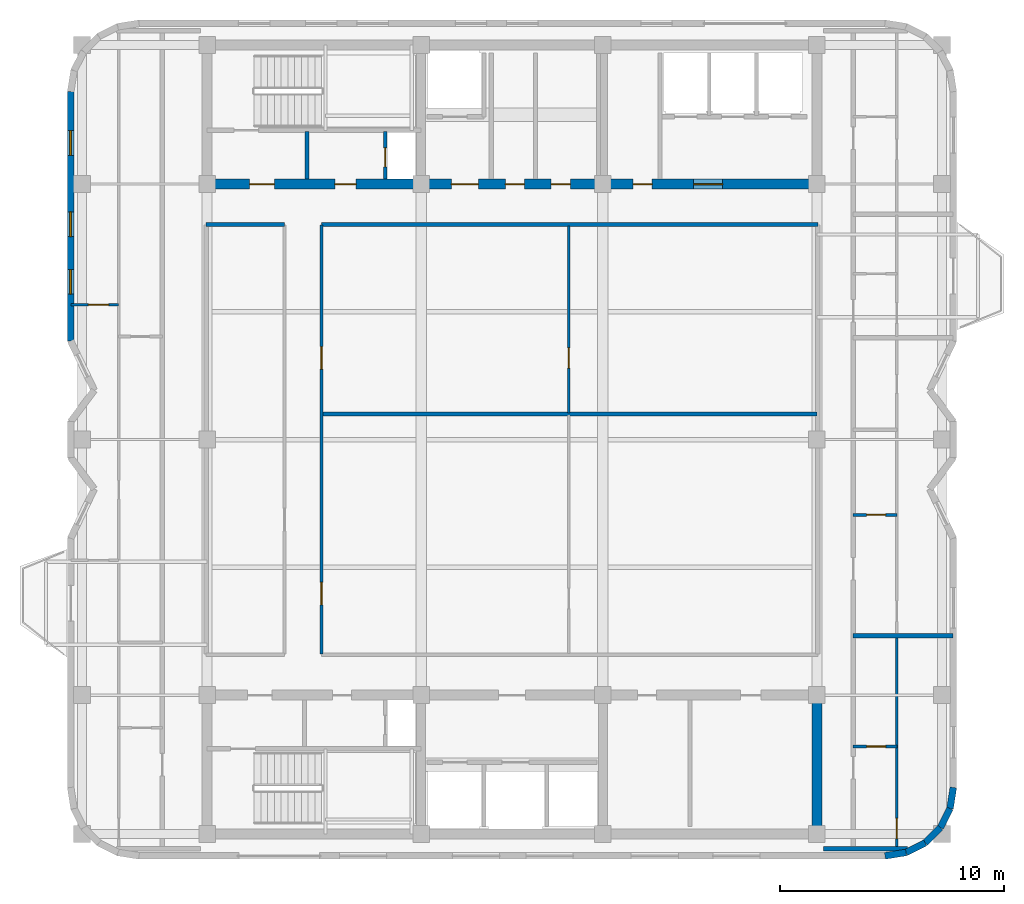
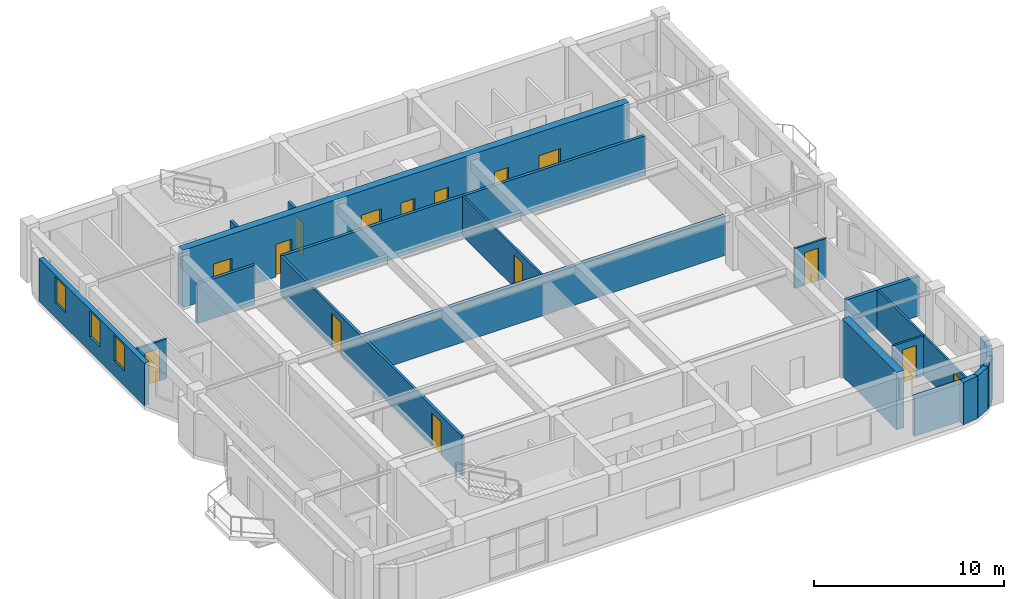
# One storey, part 7 of 11: 21 walls, 15 doors, 3 windows, 18 openings.
"""IFC4 building model written with IfcOpenShell, lengths in metres."""

from ifc_helpers import new_model, si_unit, direction, frame, frame_2d, origin, place, context, subcontext, project, spatial, rectangle, extrude, material, layer, layer_set, type_object, element, fill, save


model = new_model("IFC4")

# Units and contexts
model_context = context("Model", 3, precision=1e-05, world=origin(), true_north=direction((0.0, 1.0)))
body_context = subcontext(model_context, "Body", "Model", "MODEL_VIEW")
ifc_project = project(units=[si_unit("LENGTHUNIT", "METRE"), si_unit("AREAUNIT", "SQUARE_METRE"), si_unit("VOLUMEUNIT", "CUBIC_METRE"), si_unit("PLANEANGLEUNIT", "RADIAN"), si_unit("MASSUNIT", "GRAM", prefix="KILO")], contexts=[model_context])

# Site, building, storey
site_placement = place(None, origin())
site = spatial("IfcSite", under=ifc_project, at=site_placement, CompositionType="ELEMENT")
building_placement = place(site_placement, origin())
building = spatial("IfcBuilding", under=site, at=building_placement, Name="Svetorya Sky Lyceum", CompositionType="ELEMENT")
storey_placement = place(building_placement, frame((0.0, 0.0, 275.0)))
storey = spatial("IfcBuildingStorey", under=building, at=storey_placement, Name="L69", CompositionType="ELEMENT", Elevation=275.0)

# Wall
ifc_material_1 = material(Name="Concrete C50/60", Category="concrete")
ifc_layer_1 = layer(ifc_material_1, 0.449951171875)
ifc_layer_set_1 = layer_set([ifc_layer_1], Name="Concrete C50/60")
wall_type_1 = type_object("IfcWallType", Name="WL-CORE-450", PredefinedType="SHEAR", material=ifc_layer_set_1)
wall_1_placement = place(storey_placement, frame((52.800048828125, 10.824951171875, 0.0), z_axis=(0.0, 0.0, 1.0), x_axis=(0.0, 1.0, 0.0)))
element("IfcWall", 1, at=wall_1_placement, inside=storey, type_object=wall_type_1, Name="L69 SC East Core Shear Wall", PredefinedType="SHEAR", context=body_context, shape_type="SweptSolid", body=[
    extrude(rectangle(XDim=5.75, YDim=0.449951171875, at=frame_2d((2.875, 0.0))), origin(), (0.0, 0.0, 1.0), 3.699951171875),
])

# Wall, openings, doors
wall_2_placement = place(storey_placement, frame((52.800048828125, 39.60009765625, 0.0), z_axis=(0.0, 0.0, 1.0), x_axis=(-1.0, 0.0, 0.0)))
wall_2 = element("IfcWall", 2, at=wall_2_placement, inside=storey, type_object=wall_type_1, Name="L69 NC Inner Core Shear Wall", PredefinedType="SHEAR", context=body_context, shape_type="SweptSolid", body=[
    extrude(rectangle(XDim=27.199951171875, YDim=0.449951171875, at=frame_2d((13.60009765625, 0.0))), origin(), (0.0, 0.0, 1.0), 3.699951171875),
])
opening_1_placement = place(wall_2_placement, frame((24.199951171875, 0.0, 0.0)))
opening_1 = element("IfcOpeningElement", 3, at=opening_1_placement, cuts=wall_2, Name="Opening D-ST1", PredefinedType="OPENING", context=body_context, shape_type="SweptSolid", body=[
    extrude(rectangle(XDim=1.10009765625, YDim=2.14990234375, at=frame_2d((0.550048828125, 1.074951171875))), frame((0.0, 0.23486328125, 0.0), z_axis=(0.0, -1.0, 0.0), x_axis=(1.0, 0.0, 0.0)), (0.0, 0.0, 1.0), 0.469970703125),
])
opening_2_placement = place(wall_2_placement, frame((20.550048828125, 0.0, 0.0)))
opening_2 = element("IfcOpeningElement", 4, at=opening_2_placement, cuts=wall_2, Name="Opening D-CAC1", PredefinedType="OPENING", context=body_context, shape_type="SweptSolid", body=[
    extrude(rectangle(XDim=0.949951171875, YDim=2.10009765625, at=frame_2d((0.47509765625, 1.050048828125))), frame((0.0, 0.23486328125, 0.0), z_axis=(0.0, -1.0, 0.0), x_axis=(1.0, 0.0, 0.0)), (0.0, 0.0, 1.0), 0.469970703125),
])
opening_3_placement = place(wall_2_placement, frame((15.10009765625, 0.0, 0.0)))
opening_3 = element("IfcOpeningElement", 5, at=opening_3_placement, cuts=wall_2, Name="Opening D-FL1", PredefinedType="OPENING", context=body_context, shape_type="SweptSolid", body=[
    extrude(rectangle(XDim=1.199951171875, YDim=2.14990234375, at=frame_2d((0.60009765625, 1.074951171875))), frame((0.0, 0.23486328125, 0.0), z_axis=(0.0, -1.0, 0.0), x_axis=(1.0, 0.0, 0.0)), (0.0, 0.0, 1.0), 0.469970703125),
])
opening_4_placement = place(wall_2_placement, frame((13.050048828125, 0.0, 0.0)))
opening_4 = element("IfcOpeningElement", 6, at=opening_4_placement, cuts=wall_2, Name="Opening D-CWC1", PredefinedType="OPENING", context=body_context, shape_type="SweptSolid", body=[
    extrude(rectangle(XDim=0.85009765625, YDim=2.10009765625, at=frame_2d((0.425048828125, 1.050048828125))), frame((0.0, 0.23486328125, 0.0), z_axis=(0.0, -1.0, 0.0), x_axis=(1.0, 0.0, 0.0)), (0.0, 0.0, 1.0), 0.469970703125),
])
opening_5_placement = place(wall_2_placement, frame((11.0, 0.0, 0.0)))
opening_5 = element("IfcOpeningElement", 7, at=opening_5_placement, cuts=wall_2, Name="Opening D-CWC1", PredefinedType="OPENING", context=body_context, shape_type="SweptSolid", body=[
    extrude(rectangle(XDim=0.85009765625, YDim=2.10009765625, at=frame_2d((0.425048828125, 1.050048828125))), frame((0.0, 0.23486328125, 0.0), z_axis=(0.0, -1.0, 0.0), x_axis=(1.0, 0.0, 0.0)), (0.0, 0.0, 1.0), 0.469970703125),
])
opening_6_placement = place(wall_2_placement, frame((7.35009765625, 0.0, 0.0)))
opening_6 = element("IfcOpeningElement", 8, at=opening_6_placement, cuts=wall_2, Name="Opening D-CWC1", PredefinedType="OPENING", context=body_context, shape_type="SweptSolid", body=[
    extrude(rectangle(XDim=0.85009765625, YDim=2.10009765625, at=frame_2d((0.425048828125, 1.050048828125))), frame((0.0, 0.23486328125, 0.0), z_axis=(0.0, -1.0, 0.0), x_axis=(1.0, 0.0, 0.0)), (0.0, 0.0, 1.0), 0.469970703125),
])
opening_7_placement = place(wall_2_placement, frame((4.199951171875, 0.0, 0.0)))
opening_7 = element("IfcOpeningElement", 9, at=opening_7_placement, cuts=wall_2, Name="Opening D-LB1", PredefinedType="OPENING", context=body_context, shape_type="SweptSolid", body=[
    extrude(rectangle(XDim=1.300048828125, YDim=2.199951171875, at=frame_2d((0.64990234375, 1.10009765625))), frame((0.0, 0.23486328125, 0.0), z_axis=(0.0, -1.0, 0.0), x_axis=(1.0, 0.0, 0.0)), (0.0, 0.0, 1.0), 0.469970703125),
])
ifc_material_2 = material(Name="Fire-rated galvanized steel core accessible WC door", Category="steel")
door_type_1 = type_object("IfcDoorType", Name="DR-CACC-950", OperationType="SINGLE_SWING_LEFT", PredefinedType="DOOR", material=ifc_material_2)
door_1_placement = place(opening_2_placement, origin())
door_1 = element("IfcDoor", 10, at=door_1_placement, inside=storey, type_object=door_type_1, Name="L69 North Core Accessible WC Door", OperationType="SINGLE_SWING_RIGHT", OverallHeight=2.10009765625, OverallWidth=0.949951171875, PredefinedType="DOOR", context=body_context, shape_type="SweptSolid", body=[
    extrude(rectangle(XDim=0.949951171875, YDim=2.10009765625, at=frame_2d((0.47509765625, 1.050048828125))), frame((0.0, 0.02490234375, 0.0), z_axis=(0.0, -1.0, 0.0), x_axis=(1.0, 0.0, 0.0)), (0.0, 0.0, 1.0), 0.050048828125),
])
fill(opening_2, door_1)
ifc_material_3 = material(Name="Fire-rated galvanized steel core service closet door", Category="steel")
door_type_2 = type_object("IfcDoorType", Name="DR-CWET-850", OperationType="SINGLE_SWING_LEFT", PredefinedType="DOOR", material=ifc_material_3)
door_2_placement = place(opening_4_placement, origin())
door_2 = element("IfcDoor", 11, at=door_2_placement, inside=storey, type_object=door_type_2, Name="L69 Upper Linen Door", OperationType="SINGLE_SWING_LEFT", OverallHeight=2.10009765625, OverallWidth=0.85009765625, PredefinedType="DOOR", context=body_context, shape_type="SweptSolid", body=[
    extrude(rectangle(XDim=0.85009765625, YDim=2.10009765625, at=frame_2d((0.425048828125, 1.050048828125))), frame((0.0, 0.02490234375, 0.0), z_axis=(0.0, -1.0, 0.0), x_axis=(1.0, 0.0, 0.0)), (0.0, 0.0, 1.0), 0.050048828125),
])
fill(opening_4, door_2)
door_3_placement = place(opening_5_placement, origin())
door_3 = element("IfcDoor", 12, at=door_3_placement, inside=storey, type_object=door_type_2, Name="L69 Upper Laundry Door", OperationType="SINGLE_SWING_RIGHT", OverallHeight=2.10009765625, OverallWidth=0.85009765625, PredefinedType="DOOR", context=body_context, shape_type="SweptSolid", body=[
    extrude(rectangle(XDim=0.85009765625, YDim=2.10009765625, at=frame_2d((0.425048828125, 1.050048828125))), frame((0.0, 0.02490234375, 0.0), z_axis=(0.0, -1.0, 0.0), x_axis=(1.0, 0.0, 0.0)), (0.0, 0.0, 1.0), 0.050048828125),
])
fill(opening_5, door_3)
door_4_placement = place(opening_6_placement, origin())
door_4 = element("IfcDoor", 13, at=door_4_placement, inside=storey, type_object=door_type_2, Name="L69 High-Zone Utility Room Door", OperationType="SINGLE_SWING_LEFT", OverallHeight=2.10009765625, OverallWidth=0.85009765625, PredefinedType="DOOR", context=body_context, shape_type="SweptSolid", body=[
    extrude(rectangle(XDim=0.85009765625, YDim=2.10009765625, at=frame_2d((0.425048828125, 1.050048828125))), frame((0.0, 0.02490234375, 0.0), z_axis=(0.0, -1.0, 0.0), x_axis=(1.0, 0.0, 0.0)), (0.0, 0.0, 1.0), 0.050048828125),
])
fill(opening_6, door_4)
ifc_material_4 = material(Name="Powder-coated insulated galvanized stair fire door")
door_type_3 = type_object("IfcDoorType", Name="DR-FIRE-1100", OperationType="SINGLE_SWING_LEFT", PredefinedType="DOOR", material=ifc_material_4)
door_5_placement = place(opening_1_placement, origin())
door_5 = element("IfcDoor", 14, at=door_5_placement, inside=storey, type_object=door_type_3, Name="L69 North Stair Airlock Door", OperationType="SINGLE_SWING_LEFT", OverallHeight=2.14990234375, OverallWidth=1.10009765625, PredefinedType="DOOR", context=body_context, shape_type="SweptSolid", body=[
    extrude(rectangle(XDim=1.10009765625, YDim=2.14990234375, at=frame_2d((0.550048828125, 1.074951171875))), frame((0.0, 0.02490234375, 0.0), z_axis=(0.0, -1.0, 0.0), x_axis=(1.0, 0.0, 0.0)), (0.0, 0.0, 1.0), 0.050048828125),
])
fill(opening_1, door_5)
ifc_material_5 = material(Name="Powder-coated insulated galvanized fire door")
door_type_4 = type_object("IfcDoorType", Name="DR-FIRE-1200", OperationType="SINGLE_SWING_LEFT", PredefinedType="DOOR", material=ifc_material_5)
door_6_placement = place(opening_3_placement, origin())
door_6 = element("IfcDoor", 15, at=door_6_placement, inside=storey, type_object=door_type_4, Name="L69 North Firefighting Lift Lobby Door", OperationType="SINGLE_SWING_RIGHT", OverallHeight=2.14990234375, OverallWidth=1.199951171875, PredefinedType="DOOR", context=body_context, shape_type="SweptSolid", body=[
    extrude(rectangle(XDim=1.199951171875, YDim=2.14990234375, at=frame_2d((0.60009765625, 1.074951171875))), frame((0.0, 0.02490234375, 0.0), z_axis=(0.0, -1.0, 0.0), x_axis=(1.0, 0.0, 0.0)), (0.0, 0.0, 1.0), 0.050048828125),
])
fill(opening_3, door_6)
ifc_material_6 = material(Name="Glazed fire-rated aluminium lobby door", Category="aluminium")
door_type_5 = type_object("IfcDoorType", Name="DR-LOB-1300", OperationType="SINGLE_SWING_LEFT", PredefinedType="DOOR", material=ifc_material_6)
door_7_placement = place(opening_7_placement, origin())
door_7 = element("IfcDoor", 16, at=door_7_placement, inside=storey, type_object=door_type_5, Name="L69 North Passenger Lift Lobby Door", OperationType="SINGLE_SWING_LEFT", OverallHeight=2.199951171875, OverallWidth=1.300048828125, PredefinedType="DOOR", context=body_context, shape_type="SweptSolid", body=[
    extrude(rectangle(XDim=1.300048828125, YDim=2.199951171875, at=frame_2d((0.64990234375, 1.10009765625))), frame((0.0, 0.02490234375, 0.0), z_axis=(0.0, -1.0, 0.0), x_axis=(1.0, 0.0, 0.0)), (0.0, 0.0, 1.0), 0.050048828125),
])
fill(opening_7, door_7)

# Walls
ifc_material_7 = material(Name="Putilovo limestone rainscreen on autoclaved cellular masonry", Category="masonry")
ifc_layer_2 = layer(ifc_material_7, 0.300048828125)
ifc_layer_set_2 = layer_set([ifc_layer_2], Name="Putilovo limestone rainscreen on autoclaved cellular masonry")
wall_type_2 = type_object("IfcWallType", Name="WL-EXT-300", PredefinedType="SOLIDWALL", material=ifc_layer_set_2)
wall_3_placement = place(storey_placement, frame((55.840087890625, 9.6298828125, 0.0), z_axis=(0.0, 0.0, 1.0), x_axis=(0.987663181641, 0.156593229835, 0.0)))
element("IfcWall", 17, at=wall_3_placement, inside=storey, type_object=wall_type_2, Name="L69 Limestone Exterior Wall 7M", PredefinedType="SOLIDWALL", context=body_context, shape_type="SweptSolid", body=[
    extrude(rectangle(XDim=0.9541015625, YDim=0.300048828125, at=frame_2d((0.47705078125, 0.0))), origin(), (0.0, 0.0, 1.0), 2.72998046875),
])
for number, where, z_axis, x_axis, name in (
    (18, (56.782470703125, 9.779296875, 0.0), (0.0, 0.0, 1.0), (0.891076589373, 0.453852962833, 0.0), "L69 Limestone Exterior Wall 8M"),
    (19, (57.6328125, 10.21240234375, 0.0), (0.0, 0.0, 1.0), (0.707106781187, 0.707106781187, 0.0), "L69 Limestone Exterior Wall 9M"),
    (20, (58.3076171875, 10.88720703125, 0.0), (0.0, 0.0, 1.0), (0.453852962833, 0.891076589373, 0.0), "L69 Limestone Exterior Wall 10M"),
):
    element("IfcWall", number, at=place(storey_placement, frame(where, z_axis=z_axis, x_axis=x_axis)), inside=storey, type_object=wall_type_2, Name=name, PredefinedType="SOLIDWALL", context=body_context, shape_type="SweptSolid", body=[
        extrude(rectangle(XDim=0.954345703125, YDim=0.300048828125, at=frame_2d((0.47705078125, 0.0))), origin(), (0.0, 0.0, 1.0), 2.72998046875),
    ])
wall_4_placement = place(storey_placement, frame((58.74072265625, 11.737548828125, 0.0), z_axis=(0.0, 0.0, 1.0), x_axis=(0.156343617883, 0.987702725088, 0.0)))
element("IfcWall", 21, at=wall_4_placement, inside=storey, type_object=wall_type_2, Name="L69 Limestone Exterior Wall 11M", PredefinedType="SOLIDWALL", context=body_context, shape_type="SweptSolid", body=[
    extrude(rectangle(XDim=0.9541015625, YDim=0.300048828125, at=frame_2d((0.47705078125, 0.0))), origin(), (0.0, 0.0, 1.0), 2.72998046875),
])

# Wall, openings, windows
wall_5_placement = place(storey_placement, frame((19.510009765625, 43.719970703125, 0.0), z_axis=(0.0, 0.0, 1.0), x_axis=(0.0, -1.0, 0.0)))
wall_5 = element("IfcWall", 22, at=wall_5_placement, inside=storey, type_object=wall_type_2, Name="L69 Limestone Exterior Wall 30M", PredefinedType="SOLIDWALL", context=body_context, shape_type="SweptSolid", body=[
    extrude(rectangle(XDim=11.119873046875, YDim=0.300048828125, at=frame_2d((5.56005859375, 0.0))), origin(), (0.0, 0.0, 1.0), 2.72998046875),
])
opening_8_placement = place(wall_5_placement, frame((1.73681640625, 0.0, 0.949951171875)))
opening_8 = element("IfcOpeningElement", 23, at=opening_8_placement, cuts=wall_5, Name="Opening W-R3", PredefinedType="OPENING", context=body_context, shape_type="SweptSolid", body=[
    extrude(rectangle(XDim=1.10009765625, YDim=1.64990234375, at=frame_2d((0.550048828125, 0.824951171875))), frame((0.0, 0.159912109375, 0.0), z_axis=(0.0, -1.0, 0.0), x_axis=(1.0, 0.0, 0.0)), (0.0, 0.0, 1.0), 0.320068359375),
])
opening_9_placement = place(wall_5_placement, frame((5.360107421875, 0.0, 0.949951171875)))
opening_9 = element("IfcOpeningElement", 24, at=opening_9_placement, cuts=wall_5, Name="Opening W-R3", PredefinedType="OPENING", context=body_context, shape_type="SweptSolid", body=[
    extrude(rectangle(XDim=1.10009765625, YDim=1.64990234375, at=frame_2d((0.550048828125, 0.824951171875))), frame((0.0, 0.159912109375, 0.0), z_axis=(0.0, -1.0, 0.0), x_axis=(1.0, 0.0, 0.0)), (0.0, 0.0, 1.0), 0.320068359375),
])
opening_10_placement = place(wall_5_placement, frame((7.933349609375, 0.0, 0.949951171875)))
opening_10 = element("IfcOpeningElement", 25, at=opening_10_placement, cuts=wall_5, Name="Opening W-R3", PredefinedType="OPENING", context=body_context, shape_type="SweptSolid", body=[
    extrude(rectangle(XDim=1.10009765625, YDim=1.64990234375, at=frame_2d((0.550048828125, 0.824951171875))), frame((0.0, 0.159912109375, 0.0), z_axis=(0.0, -1.0, 0.0), x_axis=(1.0, 0.0, 0.0)), (0.0, 0.0, 1.0), 0.320068359375),
])
ifc_material_8 = material(Name="Thermally broken aluminium frame with triple low-E glazing", Category="aluminium")
window_type = type_object("IfcWindowType", Name="WN-RES-110", PartitioningType="SINGLE_PANEL", PredefinedType="WINDOW", material=ifc_material_8)
window_1_placement = place(opening_8_placement, origin())
window_1 = element("IfcWindow", 26, at=window_1_placement, inside=storey, type_object=window_type, Name="L69 Facade Window W-R3.30M.1", OverallHeight=1.64990234375, OverallWidth=1.10009765625, PartitioningType="SINGLE_PANEL", PredefinedType="WINDOW", context=body_context, shape_type="SweptSolid", body=[
    extrude(rectangle(XDim=1.10009765625, YDim=1.64990234375, at=frame_2d((0.550048828125, 0.824951171875))), frame((0.0, 0.030029296875, 0.0), z_axis=(0.0, -1.0, 0.0), x_axis=(1.0, 0.0, 0.0)), (0.0, 0.0, 1.0), 0.06005859375),
])
fill(opening_8, window_1)
window_2_placement = place(opening_9_placement, origin())
window_2 = element("IfcWindow", 27, at=window_2_placement, inside=storey, type_object=window_type, Name="L69 Facade Window W-R3.30M.2", OverallHeight=1.64990234375, OverallWidth=1.10009765625, PartitioningType="SINGLE_PANEL", PredefinedType="WINDOW", context=body_context, shape_type="SweptSolid", body=[
    extrude(rectangle(XDim=1.10009765625, YDim=1.64990234375, at=frame_2d((0.550048828125, 0.824951171875))), frame((0.0, 0.030029296875, 0.0), z_axis=(0.0, -1.0, 0.0), x_axis=(1.0, 0.0, 0.0)), (0.0, 0.0, 1.0), 0.06005859375),
])
fill(opening_9, window_2)
window_3_placement = place(opening_10_placement, origin())
window_3 = element("IfcWindow", 28, at=window_3_placement, inside=storey, type_object=window_type, Name="L69 Facade Window W-R3.30M.3", OverallHeight=1.64990234375, OverallWidth=1.10009765625, PartitioningType="SINGLE_PANEL", PredefinedType="WINDOW", context=body_context, shape_type="SweptSolid", body=[
    extrude(rectangle(XDim=1.10009765625, YDim=1.64990234375, at=frame_2d((0.550048828125, 0.824951171875))), frame((0.0, 0.030029296875, 0.0), z_axis=(0.0, -1.0, 0.0), x_axis=(1.0, 0.0, 0.0)), (0.0, 0.0, 1.0), 0.06005859375),
])
fill(opening_10, window_3)

# Wall, opening, door
ifc_material_9 = material(Name="Twin-stud galvanized framing with double fireboard", Category="gypsum")
ifc_layer_3 = layer(ifc_material_9, 0.1201171875)
ifc_layer_set_3 = layer_set([ifc_layer_3], Name="Twin-stud galvanized framing with double fireboard")
wall_type_3 = type_object("IfcWallType", Name="WL-PART-120", PredefinedType="PARTITIONING", material=ifc_layer_set_3)
wall_6_placement = place(storey_placement, frame((41.735107421875, 29.388427734375, 0.0), z_axis=(0.0, 0.0, 1.0), x_axis=(0.0, 1.0, 0.0)))
wall_6 = element("IfcWall", 29, at=wall_6_placement, inside=storey, type_object=wall_type_3, Name="L69 Interior Partition OFF-VEM2", PredefinedType="PARTITIONING", context=body_context, shape_type="SweptSolid", body=[
    extrude(rectangle(XDim=8.3515625, YDim=0.1201171875, at=frame_2d((4.17578125, 0.0))), origin(), (0.0, 0.0, 1.0), 2.56005859375),
])
opening_11_placement = place(wall_6_placement, frame((2.0, 0.0, 0.0)))
opening_11 = element("IfcOpeningElement", 30, at=opening_11_placement, cuts=wall_6, Name="Opening D-RM1", PredefinedType="OPENING", context=body_context, shape_type="SweptSolid", body=[
    extrude(rectangle(XDim=0.89990234375, YDim=2.10009765625, at=frame_2d((0.449951171875, 1.050048828125))), frame((0.0, 0.070068359375, 0.0), z_axis=(0.0, -1.0, 0.0), x_axis=(1.0, 0.0, 0.0)), (0.0, 0.0, 1.0), 0.14013671875),
])
ifc_material_10 = material(Name="Lacquered birch veneer internal door")
door_type_6 = type_object("IfcDoorType", Name="DR-INT-900", OperationType="SINGLE_SWING_LEFT", PredefinedType="DOOR", material=ifc_material_10)
door_8_placement = place(opening_11_placement, origin())
door_8 = element("IfcDoor", 31, at=door_8_placement, inside=storey, type_object=door_type_6, Name="L69 East Focus Door", OperationType="SINGLE_SWING_RIGHT", OverallHeight=2.10009765625, OverallWidth=0.89990234375, PredefinedType="DOOR", context=body_context, shape_type="SweptSolid", body=[
    extrude(rectangle(XDim=0.89990234375, YDim=2.10009765625, at=frame_2d((0.449951171875, 1.050048828125))), frame((0.0, 0.02490234375, 0.0), z_axis=(0.0, -1.0, 0.0), x_axis=(1.0, 0.0, 0.0)), (0.0, 0.0, 1.0), 0.050048828125),
])
fill(opening_11, door_8)

wall_7_placement = place(storey_placement, frame((19.530029296875, 34.219970703125, 0.0), z_axis=(0.0, 0.0, 1.0), x_axis=(1.0, 0.0, 0.0)))
wall_7 = element("IfcWall", 32, at=wall_7_placement, inside=storey, type_object=wall_type_3, Name="L69 Interior Partition W1-WL2", PredefinedType="PARTITIONING", context=body_context, shape_type="SweptSolid", body=[
    extrude(rectangle(XDim=2.119873046875, YDim=0.1201171875, at=frame_2d((1.06005859375, 0.0))), origin(), (0.0, 0.0, 1.0), 2.56005859375),
])
opening_12_placement = place(wall_7_placement, frame((0.77001953125, 0.0, 0.0)))
opening_12 = element("IfcOpeningElement", 33, at=opening_12_placement, cuts=wall_7, Name="Opening D-RM1", PredefinedType="OPENING", context=body_context, shape_type="SweptSolid", body=[
    extrude(rectangle(XDim=0.89990234375, YDim=2.10009765625, at=frame_2d((0.449951171875, 1.050048828125))), frame((0.0, 0.070068359375, 0.0), z_axis=(0.0, -1.0, 0.0), x_axis=(1.0, 0.0, 0.0)), (0.0, 0.0, 1.0), 0.14013671875),
])
door_9_placement = place(opening_12_placement, origin())
door_9 = element("IfcDoor", 34, at=door_9_placement, inside=storey, type_object=door_type_6, Name="Apartment W1 Bedroom 2 Door", OperationType="SINGLE_SWING_RIGHT", OverallHeight=2.10009765625, OverallWidth=0.89990234375, PredefinedType="DOOR", context=body_context, shape_type="SweptSolid", body=[
    extrude(rectangle(XDim=0.89990234375, YDim=2.10009765625, at=frame_2d((0.449951171875, 1.050048828125))), frame((0.0, 0.02490234375, 0.0), z_axis=(0.0, -1.0, 0.0), x_axis=(1.0, 0.0, 0.0)), (0.0, 0.0, 1.0), 0.050048828125),
])
fill(opening_12, door_9)

wall_8_placement = place(storey_placement, frame((54.419921875, 14.510009765625, 0.0), z_axis=(0.0, 0.0, 1.0), x_axis=(1.0, 0.0, 0.0)))
wall_8 = element("IfcWall", 35, at=wall_8_placement, inside=storey, type_object=wall_type_3, Name="L69 Interior Partition E1-WH1", PredefinedType="PARTITIONING", context=body_context, shape_type="SweptSolid", body=[
    extrude(rectangle(XDim=1.9501953125, YDim=0.1201171875, at=frame_2d((0.97509765625, 0.0))), origin(), (0.0, 0.0, 1.0), 2.56005859375),
])
opening_13_placement = place(wall_8_placement, frame((0.60009765625, 0.0, 0.0)))
opening_13 = element("IfcOpeningElement", 36, at=opening_13_placement, cuts=wall_8, Name="Opening D-BT1", PredefinedType="OPENING", context=body_context, shape_type="SweptSolid", body=[
    extrude(rectangle(XDim=0.85009765625, YDim=2.10009765625, at=frame_2d((0.425048828125, 1.050048828125))), frame((0.0, 0.070068359375, 0.0), z_axis=(0.0, -1.0, 0.0), x_axis=(1.0, 0.0, 0.0)), (0.0, 0.0, 1.0), 0.14013671875),
])
ifc_material_11 = material(Name="Moisture-resistant laminate bathroom door")
door_type_7 = type_object("IfcDoorType", Name="DR-WET-850", OperationType="SINGLE_SWING_LEFT", PredefinedType="DOOR", material=ifc_material_11)
door_10_placement = place(opening_13_placement, origin())
door_10 = element("IfcDoor", 37, at=door_10_placement, inside=storey, type_object=door_type_7, Name="Apartment E1 Bathroom Door", OperationType="SINGLE_SWING_RIGHT", OverallHeight=2.10009765625, OverallWidth=0.85009765625, PredefinedType="DOOR", context=body_context, shape_type="SweptSolid", body=[
    extrude(rectangle(XDim=0.85009765625, YDim=2.10009765625, at=frame_2d((0.425048828125, 1.050048828125))), frame((0.0, 0.02490234375, 0.0), z_axis=(0.0, -1.0, 0.0), x_axis=(1.0, 0.0, 0.0)), (0.0, 0.0, 1.0), 0.050048828125),
])
fill(opening_13, door_10)

wall_9_placement = place(storey_placement, frame((56.3701171875, 9.989990234375, 0.0), z_axis=(0.0, 0.0, 1.0), x_axis=(0.0, 1.0, 0.0)))
wall_9 = element("IfcWall", 38, at=wall_9_placement, inside=storey, type_object=wall_type_3, Name="L69 Interior Partition E1-WV", PredefinedType="PARTITIONING", context=body_context, shape_type="SweptSolid", body=[
    extrude(rectangle(XDim=9.409912109375, YDim=0.1201171875, at=frame_2d((4.705078125, 0.0))), origin(), (0.0, 0.0, 1.0), 2.56005859375),
])
opening_14_placement = place(wall_9_placement, frame((0.409912109375, 0.0, 0.0)))
opening_14 = element("IfcOpeningElement", 39, at=opening_14_placement, cuts=wall_9, Name="Opening D-RM1", PredefinedType="OPENING", context=body_context, shape_type="SweptSolid", body=[
    extrude(rectangle(XDim=0.89990234375, YDim=2.10009765625, at=frame_2d((0.449951171875, 1.050048828125))), frame((0.0, 0.070068359375, 0.0), z_axis=(0.0, -1.0, 0.0), x_axis=(1.0, 0.0, 0.0)), (0.0, 0.0, 1.0), 0.14013671875),
])
door_11_placement = place(opening_14_placement, origin())
door_11 = element("IfcDoor", 40, at=door_11_placement, inside=storey, type_object=door_type_6, Name="Apartment E1 Living Door", OperationType="SINGLE_SWING_LEFT", OverallHeight=2.10009765625, OverallWidth=0.89990234375, PredefinedType="DOOR", context=body_context, shape_type="SweptSolid", body=[
    extrude(rectangle(XDim=0.89990234375, YDim=2.10009765625, at=frame_2d((0.449951171875, 1.050048828125))), frame((0.0, 0.02490234375, 0.0), z_axis=(0.0, -1.0, 0.0), x_axis=(1.0, 0.0, 0.0)), (0.0, 0.0, 1.0), 0.050048828125),
])
fill(opening_14, door_11)

wall_10_placement = place(storey_placement, frame((54.419921875, 24.840087890625, 0.0), z_axis=(0.0, 0.0, 1.0), x_axis=(1.0, 0.0, 0.0)))
wall_10 = element("IfcWall", 41, at=wall_10_placement, inside=storey, type_object=wall_type_3, Name="L69 Interior Partition E2-WH1", PredefinedType="PARTITIONING", context=body_context, shape_type="SweptSolid", body=[
    extrude(rectangle(XDim=1.9501953125, YDim=0.1201171875, at=frame_2d((0.97509765625, 0.0))), origin(), (0.0, 0.0, 1.0), 2.56005859375),
])
opening_15_placement = place(wall_10_placement, frame((0.60009765625, 0.0, 0.0)))
opening_15 = element("IfcOpeningElement", 42, at=opening_15_placement, cuts=wall_10, Name="Opening D-BT1", PredefinedType="OPENING", context=body_context, shape_type="SweptSolid", body=[
    extrude(rectangle(XDim=0.85009765625, YDim=2.10009765625, at=frame_2d((0.425048828125, 1.050048828125))), frame((0.0, 0.070068359375, 0.0), z_axis=(0.0, -1.0, 0.0), x_axis=(1.0, 0.0, 0.0)), (0.0, 0.0, 1.0), 0.14013671875),
])
door_12_placement = place(opening_15_placement, origin())
door_12 = element("IfcDoor", 43, at=door_12_placement, inside=storey, type_object=door_type_7, Name="Apartment E2 Bathroom Door", OperationType="SINGLE_SWING_LEFT", OverallHeight=2.10009765625, OverallWidth=0.85009765625, PredefinedType="DOOR", context=body_context, shape_type="SweptSolid", body=[
    extrude(rectangle(XDim=0.85009765625, YDim=2.10009765625, at=frame_2d((0.425048828125, 1.050048828125))), frame((0.0, 0.02490234375, 0.0), z_axis=(0.0, -1.0, 0.0), x_axis=(1.0, 0.0, 0.0)), (0.0, 0.0, 1.0), 0.050048828125),
])
fill(opening_15, door_12)

ifc_material_12 = material(Name="Autoclaved cellular masonry blockwork with acoustic render", Category="masonry")
ifc_layer_4 = layer(ifc_material_12, 0.14990234375)
ifc_layer_set_4 = layer_set([ifc_layer_4], Name="Autoclaved cellular masonry blockwork with acoustic render")
wall_type_4 = type_object("IfcWallType", Name="WL-PART-150", PredefinedType="PARTITIONING", material=ifc_layer_set_4)
wall_11_placement = place(storey_placement, frame((33.550048828125, 39.820068359375, 0.0), z_axis=(0.0, 0.0, 1.0), x_axis=(0.0, 1.0, 0.0)))
wall_11 = element("IfcWall", 44, at=wall_11_placement, inside=storey, type_object=wall_type_4, Name="L69 Interior Partition NC-RSRW", PredefinedType="PARTITIONING", context=body_context, shape_type="SweptSolid", body=[
    extrude(rectangle(XDim=2.1298828125, YDim=0.14990234375, at=frame_2d((1.06494140625, 0.0))), origin(), (0.0, 0.0, 1.0), 2.56005859375),
])
opening_16_placement = place(wall_11_placement, frame((0.550048828125, 0.0, 0.0)))
opening_16 = element("IfcOpeningElement", 45, at=opening_16_placement, cuts=wall_11, Name="Opening D-SH1", PredefinedType="OPENING", context=body_context, shape_type="SweptSolid", body=[
    extrude(rectangle(XDim=0.85009765625, YDim=2.050048828125, at=frame_2d((0.425048828125, 1.02490234375))), frame((0.0, 0.0849609375, 0.0), z_axis=(0.0, -1.0, 0.0), x_axis=(1.0, 0.0, 0.0)), (0.0, 0.0, 1.0), 0.169921875),
])
ifc_material_13 = material(Name="Insulated galvanized riser inspection fire door")
door_type_8 = type_object("IfcDoorType", Name="DR-SHFT-850", OperationType="SINGLE_SWING_LEFT", PredefinedType="TRAPDOOR", material=ifc_material_13)
door_13_placement = place(opening_16_placement, origin())
door_13 = element("IfcDoor", 46, at=door_13_placement, inside=storey, type_object=door_type_8, Name="L69 North Riser Access Door", OperationType="SINGLE_SWING_LEFT", OverallHeight=2.050048828125, OverallWidth=0.85009765625, PredefinedType="TRAPDOOR", context=body_context, shape_type="SweptSolid", body=[
    extrude(rectangle(XDim=0.85009765625, YDim=2.050048828125, at=frame_2d((0.425048828125, 1.02490234375))), frame((0.0, 0.02490234375, 0.0), z_axis=(0.0, -1.0, 0.0), x_axis=(1.0, 0.0, 0.0)), (0.0, 0.0, 1.0), 0.050048828125),
])
fill(opening_16, door_13)

# Wall, openings, doors
wall_12_placement = place(storey_placement, frame((30.699951171875, 18.6298828125, 0.0), z_axis=(0.0, 0.0, 1.0), x_axis=(0.0, 1.0, 0.0)))
wall_12 = element("IfcWall", 47, at=wall_12_placement, inside=storey, type_object=wall_type_4, Name="L69 Interior Partition OFF-VE", PredefinedType="PARTITIONING", context=body_context, shape_type="SweptSolid", body=[
    extrude(rectangle(XDim=19.14013671875, YDim=0.14990234375, at=frame_2d((9.570068359375, 0.0))), origin(), (0.0, 0.0, 1.0), 2.56005859375),
])
opening_17_placement = place(wall_12_placement, frame((2.199951171875, 0.0, 0.0)))
opening_17 = element("IfcOpeningElement", 48, at=opening_17_placement, cuts=wall_12, Name="Opening D-RM2", PredefinedType="OPENING", context=body_context, shape_type="SweptSolid", body=[
    extrude(rectangle(XDim=1.0, YDim=2.14990234375, at=frame_2d((0.5, 1.074951171875))), frame((0.0, 0.0849609375, 0.0), z_axis=(0.0, -1.0, 0.0), x_axis=(1.0, 0.0, 0.0)), (0.0, 0.0, 1.0), 0.169921875),
])
opening_18_placement = place(wall_12_placement, frame((12.718505859375, 0.0, 0.0)))
opening_18 = element("IfcOpeningElement", 49, at=opening_18_placement, cuts=wall_12, Name="Opening D-RM2", PredefinedType="OPENING", context=body_context, shape_type="SweptSolid", body=[
    extrude(rectangle(XDim=1.0, YDim=2.14990234375, at=frame_2d((0.5, 1.074951171875))), frame((0.0, 0.0849609375, 0.0), z_axis=(0.0, -1.0, 0.0), x_axis=(1.0, 0.0, 0.0)), (0.0, 0.0, 1.0), 0.169921875),
])
ifc_material_14 = material(Name="Solid-core oak acoustic room door")
door_type_9 = type_object("IfcDoorType", Name="DR-INT-1000", OperationType="SINGLE_SWING_LEFT", PredefinedType="DOOR", material=ifc_material_14)
door_14_placement = place(opening_17_placement, origin())
door_14 = element("IfcDoor", 50, at=door_14_placement, inside=storey, type_object=door_type_9, Name="L69 Meeting Door", OperationType="SINGLE_SWING_RIGHT", OverallHeight=2.14990234375, OverallWidth=1.0, PredefinedType="DOOR", context=body_context, shape_type="SweptSolid", body=[
    extrude(rectangle(XDim=1.0, YDim=2.14990234375, at=frame_2d((0.5, 1.074951171875))), frame((0.0, 0.02490234375, 0.0), z_axis=(0.0, -1.0, 0.0), x_axis=(1.0, 0.0, 0.0)), (0.0, 0.0, 1.0), 0.050048828125),
])
fill(opening_17, door_14)
door_15_placement = place(opening_18_placement, origin())
door_15 = element("IfcDoor", 51, at=door_15_placement, inside=storey, type_object=door_type_9, Name="L69 North Room Door", OperationType="SINGLE_SWING_LEFT", OverallHeight=2.14990234375, OverallWidth=1.0, PredefinedType="DOOR", context=body_context, shape_type="SweptSolid", body=[
    extrude(rectangle(XDim=1.0, YDim=2.14990234375, at=frame_2d((0.5, 1.074951171875))), frame((0.0, 0.02490234375, 0.0), z_axis=(0.0, -1.0, 0.0), x_axis=(1.0, 0.0, 0.0)), (0.0, 0.0, 1.0), 0.050048828125),
])
fill(opening_18, door_15)

# Walls
ifc_material_15 = material(Name="Autoclaved cellular masonry blockwork with fire render", Category="masonry")
ifc_layer_5 = layer(ifc_material_15, 0.175048828125)
ifc_layer_set_5 = layer_set([ifc_layer_5], Name="Autoclaved cellular masonry blockwork with fire render")
wall_type_5 = type_object("IfcWallType", Name="WL-PART-175", PredefinedType="PARTITIONING", material=ifc_layer_set_5)
wall_13_placement = place(storey_placement, frame((30.050048828125, 39.820068359375, 0.0), z_axis=(0.0, 0.0, 1.0), x_axis=(0.0, 1.0, 0.0)))
element("IfcWall", 52, at=wall_13_placement, inside=storey, type_object=wall_type_5, Name="L69 Interior Partition NC-NWD1", PredefinedType="PARTITIONING", context=body_context, shape_type="SweptSolid", body=[
    extrude(rectangle(XDim=2.1298828125, YDim=0.175048828125, at=frame_2d((1.06494140625, 0.0))), origin(), (0.0, 0.0, 1.0), 2.56005859375),
])
wall_14_placement = place(storey_placement, frame((25.550048828125, 37.800048828125, 0.0), z_axis=(0.0, 0.0, 1.0), x_axis=(1.0, 0.0, 0.0)))
element("IfcWall", 53, at=wall_14_placement, inside=storey, type_object=wall_type_5, Name="L69 Interior Partition OFF-CN-W", PredefinedType="PARTITIONING", context=body_context, shape_type="SweptSolid", body=[
    extrude(rectangle(XDim=3.5, YDim=0.175048828125, at=frame_2d((1.75, 0.0))), origin(), (0.0, 0.0, 1.0), 2.56005859375),
])
wall_15_placement = place(storey_placement, frame((30.699951171875, 37.800048828125, 0.0), z_axis=(0.0, 0.0, 1.0), x_axis=(1.0, 0.0, 0.0)))
element("IfcWall", 54, at=wall_15_placement, inside=storey, type_object=wall_type_5, Name="L69 Interior Partition OFF-CN-E", PredefinedType="PARTITIONING", context=body_context, shape_type="SweptSolid", body=[
    extrude(rectangle(XDim=22.150146484375, YDim=0.175048828125, at=frame_2d((11.0751953125, 0.0))), origin(), (0.0, 0.0, 1.0), 2.56005859375),
])
wall_16_placement = place(storey_placement, frame((30.72998046875, 29.348388671875, 0.0), z_axis=(0.0, 0.0, 1.0), x_axis=(1.0, 0.0, 0.0)))
element("IfcWall", 55, at=wall_16_placement, inside=storey, type_object=wall_type_5, Name="L69 Interior Partition OFF-HE", PredefinedType="PARTITIONING", context=body_context, shape_type="SweptSolid", body=[
    extrude(rectangle(XDim=22.070068359375, YDim=0.175048828125, at=frame_2d((11.03515625, 0.0))), origin(), (0.0, 0.0, 1.0), 2.56005859375),
])
ifc_material_16 = material(Name="Autoclaved cellular masonry blockwork with gypsum plaster", Category="masonry")
ifc_layer_6 = layer(ifc_material_16, 0.199951171875)
ifc_layer_set_6 = layer_set([ifc_layer_6], Name="Autoclaved cellular masonry blockwork with gypsum plaster")
wall_type_6 = type_object("IfcWallType", Name="WL-PART-200", PredefinedType="PARTITIONING", material=ifc_layer_set_6)
wall_17_placement = place(storey_placement, frame((54.419921875, 19.43994140625, 0.0), z_axis=(0.0, 0.0, 1.0), x_axis=(1.0, 0.0, 0.0)))
element("IfcWall", 56, at=wall_17_placement, inside=storey, type_object=wall_type_6, Name="L69 Interior Partition E-PARTY-1", PredefinedType="PARTITIONING", context=body_context, shape_type="SweptSolid", body=[
    extrude(rectangle(XDim=4.4501953125, YDim=0.199951171875, at=frame_2d((2.22509765625, 0.0))), origin(), (0.0, 0.0, 1.0), 2.56005859375),
])
wall_18_placement = place(storey_placement, frame((53.10009765625, 9.949951171875, 0.0), z_axis=(0.0, 0.0, 1.0), x_axis=(1.0, 0.0, 0.0)))
element("IfcWall", 57, at=wall_18_placement, inside=storey, type_object=wall_type_6, Name="L69 Interior Partition E-CAP-S", PredefinedType="PARTITIONING", context=body_context, shape_type="SweptSolid", body=[
    extrude(rectangle(XDim=3.75390625, YDim=0.199951171875, at=frame_2d((1.876953125, 0.0))), origin(), (0.0, 0.0, 1.0), 2.56005859375),
])

save(model, "model.ifc")
